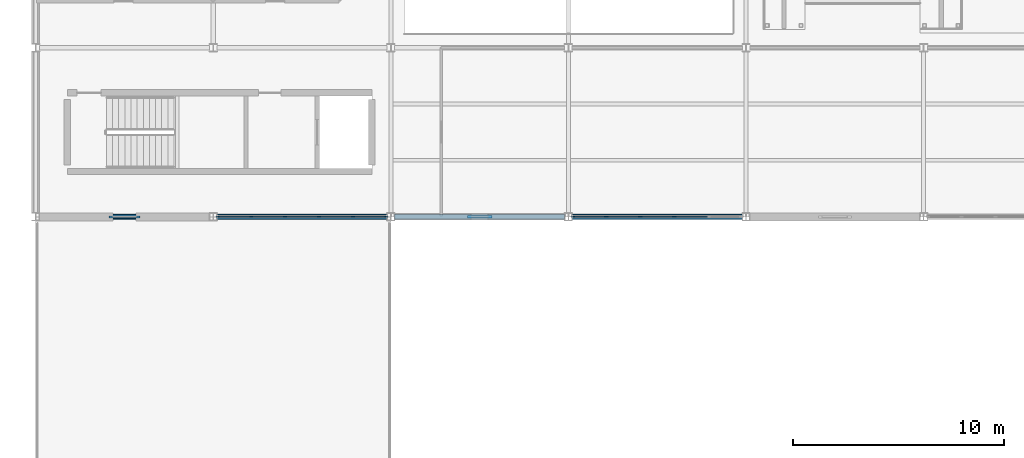
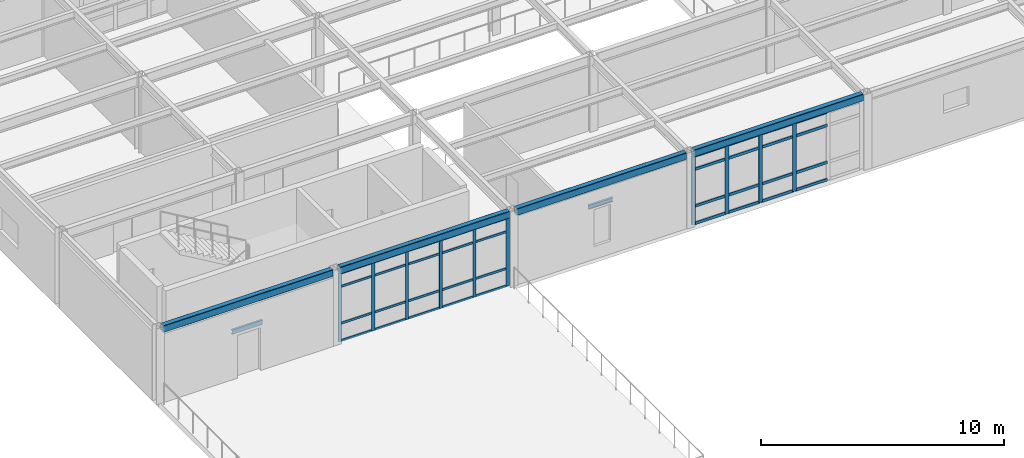
# One storey, part 19 of 138: 46 members, 6 beams, 2 elements without a shape of their own.
"""IFC4 building model written with IfcOpenShell, lengths in metres."""

from ifc_helpers import new_model, si_unit, direction, frame, origin, origin_2d, place, context, subcontext, project, spatial, rectangle, hollow_rectangle, i_section, u_section, extrude, material, layer, layer_set, material_profile, profile_set, type_object, element, aggregate, save


model = new_model("IFC4")

# Units and contexts
model_context = context("Model", 3, precision=1e-05, world=origin(), true_north=direction((0.0, 1.0)))
body_context = subcontext(model_context, "Body", "Model", "MODEL_VIEW")
ifc_project = project(units=[si_unit("LENGTHUNIT", "METRE"), si_unit("AREAUNIT", "SQUARE_METRE"), si_unit("VOLUMEUNIT", "CUBIC_METRE"), si_unit("PLANEANGLEUNIT", "RADIAN"), si_unit("MASSUNIT", "GRAM", prefix="KILO")], contexts=[model_context])

# Site, building, storey
site_placement = place(None, origin())
site = spatial("IfcSite", under=ifc_project, at=site_placement, CompositionType="ELEMENT")
building_placement = place(site_placement, origin())
building = spatial("IfcBuilding", under=site, at=building_placement, Name="Kranzveld Transit Interchange", CompositionType="ELEMENT")
storey_placement = place(building_placement, frame((0.0, 0.0, 5.43994140625)))
storey = spatial("IfcBuildingStorey", under=building, at=storey_placement, Name="L01", CompositionType="ELEMENT", Elevation=5.43994140625)

# Curtain wall, members
ifc_material_1 = material(Name="Bronze-anodised thermally broken aluminium", Category="aluminium")
ifc_layer_1 = layer(ifc_material_1, 0.14990234375)
ifc_layer_set_1 = layer_set([ifc_layer_1], Name="Bronze-anodised thermally broken aluminium")
curtain_wall_type_1 = type_object("IfcCurtainWallType", Name="Public Passage Clerestory Screen CW-4", PredefinedType="USERDEFINED", material=ifc_layer_set_1)
curtain_wall_1_placement = place(storey_placement, origin())
curtain_wall_1 = element("IfcCurtainWall", 1, at=curtain_wall_1_placement, inside=storey, type_object=curtain_wall_type_1, Name="L01 Curtain Wall 02/C-03/C", ObjectType="CURTAIN WALL", PredefinedType="USERDEFINED")
ifc_material_2 = material(Name="Bronze-anodised thermally broken aluminium", Category="aluminium")
ifc_material_profile_1 = material_profile(ifc_material_2, rectangle(XDim=0.06005859375, YDim=0.14990234375, at=origin_2d()), Name="ALU MULLION 60x150")
ifc_profile_set_1 = profile_set([ifc_material_profile_1], Name="Bronze-anodised thermally broken aluminium")
member_type_1 = type_object("IfcMemberType", Name="Curtain Wall Mullion 60x150 Alu", PredefinedType="MULLION", material=ifc_profile_set_1)
member_1_placement = place(storey_placement, frame((8.6171875, 16.0, 0.0), z_axis=(0.0, 0.0, 1.0), x_axis=(0.0, 1.0, 0.0)))
member_1 = element("IfcMember", 2, at=member_1_placement, type_object=member_type_1, Name="CW-4 mullion 1", PredefinedType="MULLION", context=body_context, shape_type="SweptSolid", body=[
    extrude(rectangle(XDim=0.06005859375, YDim=0.14990234375, at=origin_2d()), origin(), (0.0, 0.0, 1.0), 3.449951171875),
])
member_2_placement = place(storey_placement, frame((10.1923828125, 16.0, 0.0), z_axis=(0.0, 0.0, 1.0), x_axis=(0.0, 1.0, 0.0)))
member_2 = element("IfcMember", 3, at=member_2_placement, type_object=member_type_1, Name="CW-4 mullion 2", PredefinedType="MULLION", context=body_context, shape_type="SweptSolid", body=[
    extrude(rectangle(XDim=0.06005859375, YDim=0.14990234375, at=origin_2d()), origin(), (0.0, 0.0, 1.0), 3.449951171875),
])
member_3_placement = place(storey_placement, frame((11.79736328125, 16.0, 0.0), z_axis=(0.0, 0.0, 1.0), x_axis=(0.0, 1.0, 0.0)))
member_3 = element("IfcMember", 4, at=member_3_placement, type_object=member_type_1, Name="CW-4 mullion 3", PredefinedType="MULLION", context=body_context, shape_type="SweptSolid", body=[
    extrude(rectangle(XDim=0.06005859375, YDim=0.14990234375, at=origin_2d()), origin(), (0.0, 0.0, 1.0), 3.449951171875),
])
member_4_placement = place(storey_placement, frame((13.402587890625, 16.0, 0.0), z_axis=(0.0, 0.0, 1.0), x_axis=(0.0, 1.0, 0.0)))
member_4 = element("IfcMember", 5, at=member_4_placement, type_object=member_type_1, Name="CW-4 mullion 4", PredefinedType="MULLION", context=body_context, shape_type="SweptSolid", body=[
    extrude(rectangle(XDim=0.06005859375, YDim=0.14990234375, at=origin_2d()), origin(), (0.0, 0.0, 1.0), 3.449951171875),
])
member_5_placement = place(storey_placement, frame((15.007568359375, 16.0, 0.0), z_axis=(0.0, 0.0, 1.0), x_axis=(0.0, 1.0, 0.0)))
member_5 = element("IfcMember", 6, at=member_5_placement, type_object=member_type_1, Name="CW-4 mullion 5", PredefinedType="MULLION", context=body_context, shape_type="SweptSolid", body=[
    extrude(rectangle(XDim=0.06005859375, YDim=0.14990234375, at=origin_2d()), origin(), (0.0, 0.0, 1.0), 3.449951171875),
])
member_6_placement = place(storey_placement, frame((16.582763671875, 16.0, 0.0), z_axis=(0.0, 0.0, 1.0), x_axis=(0.0, 1.0, 0.0)))
member_6 = element("IfcMember", 7, at=member_6_placement, type_object=member_type_1, Name="CW-4 mullion 6", PredefinedType="MULLION", context=body_context, shape_type="SweptSolid", body=[
    extrude(rectangle(XDim=0.06005859375, YDim=0.14990234375, at=origin_2d()), origin(), (0.0, 0.0, 1.0), 3.449951171875),
])

ifc_material_3 = material(Name="Bronze-anodised thermally broken aluminium", Category="aluminium")
ifc_layer_2 = layer(ifc_material_3, 0.18505859375)
ifc_layer_set_2 = layer_set([ifc_layer_2], Name="Bronze-anodised thermally broken aluminium")
curtain_wall_type_2 = type_object("IfcCurtainWallType", Name="Control Crown Observation Facade CW-5", PredefinedType="USERDEFINED", material=ifc_layer_set_2)
curtain_wall_2_placement = place(storey_placement, origin())
curtain_wall_2 = element("IfcCurtainWall", 8, at=curtain_wall_2_placement, inside=storey, type_object=curtain_wall_type_2, Name="L01 Curtain Wall 04/C-05/C", ObjectType="CURTAIN WALL", PredefinedType="USERDEFINED")
ifc_material_4 = material(Name="Bronze-anodised thermally broken aluminium", Category="aluminium")
ifc_material_profile_2 = material_profile(ifc_material_4, rectangle(XDim=0.06494140625, YDim=0.179931640625, at=origin_2d()), Name="ALU MULLION 65x180")
ifc_profile_set_2 = profile_set([ifc_material_profile_2], Name="Bronze-anodised thermally broken aluminium")
member_type_2 = type_object("IfcMemberType", Name="Curtain Wall Mullion 65x180 Alu", PredefinedType="MULLION", material=ifc_profile_set_2)
member_7_placement = place(storey_placement, frame((25.419921875, 16.0, 0.0), z_axis=(0.0, 0.0, 1.0), x_axis=(0.0, 1.0, 0.0)))
member_7 = element("IfcMember", 9, at=member_7_placement, type_object=member_type_2, Name="CW-5 mullion 1", PredefinedType="MULLION", context=body_context, shape_type="SweptSolid", body=[
    extrude(rectangle(XDim=0.06494140625, YDim=0.179931640625, at=origin_2d()), origin(), (0.0, 0.0, 1.0), 3.449951171875),
])
member_8_placement = place(storey_placement, frame((26.992431640625, 16.0, 0.0), z_axis=(0.0, 0.0, 1.0), x_axis=(0.0, 1.0, 0.0)))
member_8 = element("IfcMember", 10, at=member_8_placement, type_object=member_type_2, Name="CW-5 mullion 2", PredefinedType="MULLION", context=body_context, shape_type="SweptSolid", body=[
    extrude(rectangle(XDim=0.06494140625, YDim=0.179931640625, at=origin_2d()), origin(), (0.0, 0.0, 1.0), 3.449951171875),
])
member_9_placement = place(storey_placement, frame((28.597412109375, 16.0, 0.0), z_axis=(0.0, 0.0, 1.0), x_axis=(0.0, 1.0, 0.0)))
member_9 = element("IfcMember", 11, at=member_9_placement, type_object=member_type_2, Name="CW-5 mullion 3", PredefinedType="MULLION", context=body_context, shape_type="SweptSolid", body=[
    extrude(rectangle(XDim=0.06494140625, YDim=0.179931640625, at=origin_2d()), origin(), (0.0, 0.0, 1.0), 3.449951171875),
])
member_10_placement = place(storey_placement, frame((30.20263671875, 16.0, 0.0), z_axis=(0.0, 0.0, 1.0), x_axis=(0.0, 1.0, 0.0)))
member_10 = element("IfcMember", 12, at=member_10_placement, type_object=member_type_2, Name="CW-5 mullion 4", PredefinedType="MULLION", context=body_context, shape_type="SweptSolid", body=[
    extrude(rectangle(XDim=0.06494140625, YDim=0.179931640625, at=origin_2d()), origin(), (0.0, 0.0, 1.0), 3.449951171875),
])

# Member
ifc_material_5 = material(Name="Bronze-anodised thermally broken aluminium", Category="aluminium")
ifc_material_profile_3 = material_profile(ifc_material_5, rectangle(XDim=0.06005859375, YDim=0.110107421875, at=origin_2d()), Name="ALU TRANSOM 60x110")
ifc_profile_set_3 = profile_set([ifc_material_profile_3], Name="Bronze-anodised thermally broken aluminium")
member_type_3 = type_object("IfcMemberType", Name="Curtain Wall Transom 60x110 Alu", PredefinedType="USERDEFINED", material=ifc_profile_set_3)
member_11_placement = place(storey_placement, frame((8.647216796875, 16.0, 0.030029296875), z_axis=(1.0, 0.0, 0.0), x_axis=(0.0, 1.0, 0.0)))
member_11 = element("IfcMember", 13, at=member_11_placement, type_object=member_type_3, Name="CW-4 transom 1.1", ObjectType="TRANSOM", PredefinedType="USERDEFINED", context=body_context, shape_type="SweptSolid", body=[
    extrude(rectangle(XDim=0.06005859375, YDim=0.110107421875, at=origin_2d()), origin(), (0.0, 0.0, 1.0), 1.51513671875),
])

member_12_placement = place(storey_placement, frame((8.647216796875, 16.0, 0.900146484375), z_axis=(1.0, 0.0, 0.0), x_axis=(0.0, 1.0, 0.0)))
member_12 = element("IfcMember", 14, at=member_12_placement, type_object=member_type_3, Name="CW-4 transom 1.2", ObjectType="TRANSOM", PredefinedType="USERDEFINED", context=body_context, shape_type="SweptSolid", body=[
    extrude(rectangle(XDim=0.06005859375, YDim=0.110107421875, at=origin_2d()), origin(), (0.0, 0.0, 1.0), 1.51513671875),
])

member_13_placement = place(storey_placement, frame((8.647216796875, 16.0, 2.75), z_axis=(1.0, 0.0, 0.0), x_axis=(0.0, 1.0, 0.0)))
member_13 = element("IfcMember", 15, at=member_13_placement, type_object=member_type_3, Name="CW-4 transom 1.3", ObjectType="TRANSOM", PredefinedType="USERDEFINED", context=body_context, shape_type="SweptSolid", body=[
    extrude(rectangle(XDim=0.06005859375, YDim=0.110107421875, at=origin_2d()), origin(), (0.0, 0.0, 1.0), 1.51513671875),
])

member_14_placement = place(storey_placement, frame((8.647216796875, 16.0, 3.420166015625), z_axis=(1.0, 0.0, 0.0), x_axis=(0.0, 1.0, 0.0)))
member_14 = element("IfcMember", 16, at=member_14_placement, type_object=member_type_3, Name="CW-4 transom 1.4", ObjectType="TRANSOM", PredefinedType="USERDEFINED", context=body_context, shape_type="SweptSolid", body=[
    extrude(rectangle(XDim=0.06005859375, YDim=0.110107421875, at=origin_2d()), origin(), (0.0, 0.0, 1.0), 1.51513671875),
])

member_15_placement = place(storey_placement, frame((10.222412109375, 16.0, 0.030029296875), z_axis=(1.0, 0.0, 0.0), x_axis=(0.0, 1.0, 0.0)))
member_15 = element("IfcMember", 17, at=member_15_placement, type_object=member_type_3, Name="CW-4 transom 2.1", ObjectType="TRANSOM", PredefinedType="USERDEFINED", context=body_context, shape_type="SweptSolid", body=[
    extrude(rectangle(XDim=0.06005859375, YDim=0.110107421875, at=origin_2d()), origin(), (0.0, 0.0, 1.0), 1.545166015625),
])

member_16_placement = place(storey_placement, frame((10.222412109375, 16.0, 0.900146484375), z_axis=(1.0, 0.0, 0.0), x_axis=(0.0, 1.0, 0.0)))
member_16 = element("IfcMember", 18, at=member_16_placement, type_object=member_type_3, Name="CW-4 transom 2.2", ObjectType="TRANSOM", PredefinedType="USERDEFINED", context=body_context, shape_type="SweptSolid", body=[
    extrude(rectangle(XDim=0.06005859375, YDim=0.110107421875, at=origin_2d()), origin(), (0.0, 0.0, 1.0), 1.545166015625),
])

member_17_placement = place(storey_placement, frame((10.222412109375, 16.0, 2.75), z_axis=(1.0, 0.0, 0.0), x_axis=(0.0, 1.0, 0.0)))
member_17 = element("IfcMember", 19, at=member_17_placement, type_object=member_type_3, Name="CW-4 transom 2.3", ObjectType="TRANSOM", PredefinedType="USERDEFINED", context=body_context, shape_type="SweptSolid", body=[
    extrude(rectangle(XDim=0.06005859375, YDim=0.110107421875, at=origin_2d()), origin(), (0.0, 0.0, 1.0), 1.545166015625),
])

member_18_placement = place(storey_placement, frame((10.222412109375, 16.0, 3.420166015625), z_axis=(1.0, 0.0, 0.0), x_axis=(0.0, 1.0, 0.0)))
member_18 = element("IfcMember", 20, at=member_18_placement, type_object=member_type_3, Name="CW-4 transom 2.4", ObjectType="TRANSOM", PredefinedType="USERDEFINED", context=body_context, shape_type="SweptSolid", body=[
    extrude(rectangle(XDim=0.06005859375, YDim=0.110107421875, at=origin_2d()), origin(), (0.0, 0.0, 1.0), 1.545166015625),
])

member_19_placement = place(storey_placement, frame((11.827392578125, 16.0, 0.030029296875), z_axis=(1.0, 0.0, 0.0), x_axis=(0.0, 1.0, 0.0)))
member_19 = element("IfcMember", 21, at=member_19_placement, type_object=member_type_3, Name="CW-4 transom 3.1", ObjectType="TRANSOM", PredefinedType="USERDEFINED", context=body_context, shape_type="SweptSolid", body=[
    extrude(rectangle(XDim=0.06005859375, YDim=0.110107421875, at=origin_2d()), origin(), (0.0, 0.0, 1.0), 1.545166015625),
])

member_20_placement = place(storey_placement, frame((11.827392578125, 16.0, 0.900146484375), z_axis=(1.0, 0.0, 0.0), x_axis=(0.0, 1.0, 0.0)))
member_20 = element("IfcMember", 22, at=member_20_placement, type_object=member_type_3, Name="CW-4 transom 3.2", ObjectType="TRANSOM", PredefinedType="USERDEFINED", context=body_context, shape_type="SweptSolid", body=[
    extrude(rectangle(XDim=0.06005859375, YDim=0.110107421875, at=origin_2d()), origin(), (0.0, 0.0, 1.0), 1.545166015625),
])

member_21_placement = place(storey_placement, frame((11.827392578125, 16.0, 2.75), z_axis=(1.0, 0.0, 0.0), x_axis=(0.0, 1.0, 0.0)))
member_21 = element("IfcMember", 23, at=member_21_placement, type_object=member_type_3, Name="CW-4 transom 3.3", ObjectType="TRANSOM", PredefinedType="USERDEFINED", context=body_context, shape_type="SweptSolid", body=[
    extrude(rectangle(XDim=0.06005859375, YDim=0.110107421875, at=origin_2d()), origin(), (0.0, 0.0, 1.0), 1.545166015625),
])

member_22_placement = place(storey_placement, frame((11.827392578125, 16.0, 3.420166015625), z_axis=(1.0, 0.0, 0.0), x_axis=(0.0, 1.0, 0.0)))
member_22 = element("IfcMember", 24, at=member_22_placement, type_object=member_type_3, Name="CW-4 transom 3.4", ObjectType="TRANSOM", PredefinedType="USERDEFINED", context=body_context, shape_type="SweptSolid", body=[
    extrude(rectangle(XDim=0.06005859375, YDim=0.110107421875, at=origin_2d()), origin(), (0.0, 0.0, 1.0), 1.545166015625),
])

member_23_placement = place(storey_placement, frame((13.4326171875, 16.0, 0.030029296875), z_axis=(1.0, 0.0, 0.0), x_axis=(0.0, 1.0, 0.0)))
member_23 = element("IfcMember", 25, at=member_23_placement, type_object=member_type_3, Name="CW-4 transom 4.1", ObjectType="TRANSOM", PredefinedType="USERDEFINED", context=body_context, shape_type="SweptSolid", body=[
    extrude(rectangle(XDim=0.06005859375, YDim=0.110107421875, at=origin_2d()), origin(), (0.0, 0.0, 1.0), 1.544921875),
])

member_24_placement = place(storey_placement, frame((13.4326171875, 16.0, 0.900146484375), z_axis=(1.0, 0.0, 0.0), x_axis=(0.0, 1.0, 0.0)))
member_24 = element("IfcMember", 26, at=member_24_placement, type_object=member_type_3, Name="CW-4 transom 4.2", ObjectType="TRANSOM", PredefinedType="USERDEFINED", context=body_context, shape_type="SweptSolid", body=[
    extrude(rectangle(XDim=0.06005859375, YDim=0.110107421875, at=origin_2d()), origin(), (0.0, 0.0, 1.0), 1.544921875),
])

member_25_placement = place(storey_placement, frame((13.4326171875, 16.0, 2.75), z_axis=(1.0, 0.0, 0.0), x_axis=(0.0, 1.0, 0.0)))
member_25 = element("IfcMember", 27, at=member_25_placement, type_object=member_type_3, Name="CW-4 transom 4.3", ObjectType="TRANSOM", PredefinedType="USERDEFINED", context=body_context, shape_type="SweptSolid", body=[
    extrude(rectangle(XDim=0.06005859375, YDim=0.110107421875, at=origin_2d()), origin(), (0.0, 0.0, 1.0), 1.544921875),
])

member_26_placement = place(storey_placement, frame((13.4326171875, 16.0, 3.420166015625), z_axis=(1.0, 0.0, 0.0), x_axis=(0.0, 1.0, 0.0)))
member_26 = element("IfcMember", 28, at=member_26_placement, type_object=member_type_3, Name="CW-4 transom 4.4", ObjectType="TRANSOM", PredefinedType="USERDEFINED", context=body_context, shape_type="SweptSolid", body=[
    extrude(rectangle(XDim=0.06005859375, YDim=0.110107421875, at=origin_2d()), origin(), (0.0, 0.0, 1.0), 1.544921875),
])

member_27_placement = place(storey_placement, frame((15.03759765625, 16.0, 0.030029296875), z_axis=(1.0, 0.0, 0.0), x_axis=(0.0, 1.0, 0.0)))
member_27 = element("IfcMember", 29, at=member_27_placement, type_object=member_type_3, Name="CW-4 transom 5.1", ObjectType="TRANSOM", PredefinedType="USERDEFINED", context=body_context, shape_type="SweptSolid", body=[
    extrude(rectangle(XDim=0.06005859375, YDim=0.110107421875, at=origin_2d()), origin(), (0.0, 0.0, 1.0), 1.51513671875),
])

member_28_placement = place(storey_placement, frame((15.03759765625, 16.0, 0.900146484375), z_axis=(1.0, 0.0, 0.0), x_axis=(0.0, 1.0, 0.0)))
member_28 = element("IfcMember", 30, at=member_28_placement, type_object=member_type_3, Name="CW-4 transom 5.2", ObjectType="TRANSOM", PredefinedType="USERDEFINED", context=body_context, shape_type="SweptSolid", body=[
    extrude(rectangle(XDim=0.06005859375, YDim=0.110107421875, at=origin_2d()), origin(), (0.0, 0.0, 1.0), 1.51513671875),
])

member_29_placement = place(storey_placement, frame((15.03759765625, 16.0, 2.75), z_axis=(1.0, 0.0, 0.0), x_axis=(0.0, 1.0, 0.0)))
member_29 = element("IfcMember", 31, at=member_29_placement, type_object=member_type_3, Name="CW-4 transom 5.3", ObjectType="TRANSOM", PredefinedType="USERDEFINED", context=body_context, shape_type="SweptSolid", body=[
    extrude(rectangle(XDim=0.06005859375, YDim=0.110107421875, at=origin_2d()), origin(), (0.0, 0.0, 1.0), 1.51513671875),
])

member_30_placement = place(storey_placement, frame((15.03759765625, 16.0, 3.420166015625), z_axis=(1.0, 0.0, 0.0), x_axis=(0.0, 1.0, 0.0)))
member_30 = element("IfcMember", 32, at=member_30_placement, type_object=member_type_3, Name="CW-4 transom 5.4", ObjectType="TRANSOM", PredefinedType="USERDEFINED", context=body_context, shape_type="SweptSolid", body=[
    extrude(rectangle(XDim=0.06005859375, YDim=0.110107421875, at=origin_2d()), origin(), (0.0, 0.0, 1.0), 1.51513671875),
])

aggregate(curtain_wall_1, [member_1, member_2, member_3, member_4, member_5, member_6, member_11, member_12, member_13, member_14, member_15, member_16, member_17, member_18, member_19, member_20, member_21, member_22, member_23, member_24, member_25, member_26, member_27, member_28, member_29, member_30])

ifc_material_6 = material(Name="Bronze-anodised thermally broken aluminium", Category="aluminium")
ifc_material_profile_4 = material_profile(ifc_material_6, rectangle(XDim=0.06494140625, YDim=0.139892578125, at=origin_2d()), Name="ALU TRANSOM 65x140")
ifc_profile_set_4 = profile_set([ifc_material_profile_4], Name="Bronze-anodised thermally broken aluminium")
member_type_4 = type_object("IfcMemberType", Name="Curtain Wall Transom 65x140 Alu", PredefinedType="USERDEFINED", material=ifc_profile_set_4)
member_31_placement = place(storey_placement, frame((25.452392578125, 16.0, 0.032470703125), z_axis=(1.0, 0.0, 0.0), x_axis=(0.0, 1.0, 0.0)))
member_31 = element("IfcMember", 33, at=member_31_placement, type_object=member_type_4, Name="CW-5 transom 1.1", ObjectType="TRANSOM", PredefinedType="USERDEFINED", context=body_context, shape_type="SweptSolid", body=[
    extrude(rectangle(XDim=0.06494140625, YDim=0.139892578125, at=origin_2d()), origin(), (0.0, 0.0, 1.0), 1.507568359375),
])

member_32_placement = place(storey_placement, frame((25.452392578125, 16.0, 0.900146484375), z_axis=(1.0, 0.0, 0.0), x_axis=(0.0, 1.0, 0.0)))
member_32 = element("IfcMember", 34, at=member_32_placement, type_object=member_type_4, Name="CW-5 transom 1.2", ObjectType="TRANSOM", PredefinedType="USERDEFINED", context=body_context, shape_type="SweptSolid", body=[
    extrude(rectangle(XDim=0.06494140625, YDim=0.139892578125, at=origin_2d()), origin(), (0.0, 0.0, 1.0), 1.507568359375),
])

member_33_placement = place(storey_placement, frame((25.452392578125, 16.0, 2.75), z_axis=(1.0, 0.0, 0.0), x_axis=(0.0, 1.0, 0.0)))
member_33 = element("IfcMember", 35, at=member_33_placement, type_object=member_type_4, Name="CW-5 transom 1.3", ObjectType="TRANSOM", PredefinedType="USERDEFINED", context=body_context, shape_type="SweptSolid", body=[
    extrude(rectangle(XDim=0.06494140625, YDim=0.139892578125, at=origin_2d()), origin(), (0.0, 0.0, 1.0), 1.507568359375),
])

member_34_placement = place(storey_placement, frame((25.452392578125, 16.0, 3.41748046875), z_axis=(1.0, 0.0, 0.0), x_axis=(0.0, 1.0, 0.0)))
member_34 = element("IfcMember", 36, at=member_34_placement, type_object=member_type_4, Name="CW-5 transom 1.4", ObjectType="TRANSOM", PredefinedType="USERDEFINED", context=body_context, shape_type="SweptSolid", body=[
    extrude(rectangle(XDim=0.06494140625, YDim=0.139892578125, at=origin_2d()), origin(), (0.0, 0.0, 1.0), 1.507568359375),
])

member_35_placement = place(storey_placement, frame((27.02490234375, 16.0, 0.032470703125), z_axis=(1.0, 0.0, 0.0), x_axis=(0.0, 1.0, 0.0)))
member_35 = element("IfcMember", 37, at=member_35_placement, type_object=member_type_4, Name="CW-5 transom 2.1", ObjectType="TRANSOM", PredefinedType="USERDEFINED", context=body_context, shape_type="SweptSolid", body=[
    extrude(rectangle(XDim=0.06494140625, YDim=0.139892578125, at=origin_2d()), origin(), (0.0, 0.0, 1.0), 1.5400390625),
])

member_36_placement = place(storey_placement, frame((27.02490234375, 16.0, 0.900146484375), z_axis=(1.0, 0.0, 0.0), x_axis=(0.0, 1.0, 0.0)))
member_36 = element("IfcMember", 38, at=member_36_placement, type_object=member_type_4, Name="CW-5 transom 2.2", ObjectType="TRANSOM", PredefinedType="USERDEFINED", context=body_context, shape_type="SweptSolid", body=[
    extrude(rectangle(XDim=0.06494140625, YDim=0.139892578125, at=origin_2d()), origin(), (0.0, 0.0, 1.0), 1.5400390625),
])

member_37_placement = place(storey_placement, frame((27.02490234375, 16.0, 2.75), z_axis=(1.0, 0.0, 0.0), x_axis=(0.0, 1.0, 0.0)))
member_37 = element("IfcMember", 39, at=member_37_placement, type_object=member_type_4, Name="CW-5 transom 2.3", ObjectType="TRANSOM", PredefinedType="USERDEFINED", context=body_context, shape_type="SweptSolid", body=[
    extrude(rectangle(XDim=0.06494140625, YDim=0.139892578125, at=origin_2d()), origin(), (0.0, 0.0, 1.0), 1.5400390625),
])

member_38_placement = place(storey_placement, frame((27.02490234375, 16.0, 3.41748046875), z_axis=(1.0, 0.0, 0.0), x_axis=(0.0, 1.0, 0.0)))
member_38 = element("IfcMember", 40, at=member_38_placement, type_object=member_type_4, Name="CW-5 transom 2.4", ObjectType="TRANSOM", PredefinedType="USERDEFINED", context=body_context, shape_type="SweptSolid", body=[
    extrude(rectangle(XDim=0.06494140625, YDim=0.139892578125, at=origin_2d()), origin(), (0.0, 0.0, 1.0), 1.5400390625),
])

member_39_placement = place(storey_placement, frame((28.6298828125, 16.0, 0.032470703125), z_axis=(1.0, 0.0, 0.0), x_axis=(0.0, 1.0, 0.0)))
member_39 = element("IfcMember", 41, at=member_39_placement, type_object=member_type_4, Name="CW-5 transom 3.1", ObjectType="TRANSOM", PredefinedType="USERDEFINED", context=body_context, shape_type="SweptSolid", body=[
    extrude(rectangle(XDim=0.06494140625, YDim=0.139892578125, at=origin_2d()), origin(), (0.0, 0.0, 1.0), 1.5400390625),
])

member_40_placement = place(storey_placement, frame((28.6298828125, 16.0, 0.900146484375), z_axis=(1.0, 0.0, 0.0), x_axis=(0.0, 1.0, 0.0)))
member_40 = element("IfcMember", 42, at=member_40_placement, type_object=member_type_4, Name="CW-5 transom 3.2", ObjectType="TRANSOM", PredefinedType="USERDEFINED", context=body_context, shape_type="SweptSolid", body=[
    extrude(rectangle(XDim=0.06494140625, YDim=0.139892578125, at=origin_2d()), origin(), (0.0, 0.0, 1.0), 1.5400390625),
])

member_41_placement = place(storey_placement, frame((28.6298828125, 16.0, 2.75), z_axis=(1.0, 0.0, 0.0), x_axis=(0.0, 1.0, 0.0)))
member_41 = element("IfcMember", 43, at=member_41_placement, type_object=member_type_4, Name="CW-5 transom 3.3", ObjectType="TRANSOM", PredefinedType="USERDEFINED", context=body_context, shape_type="SweptSolid", body=[
    extrude(rectangle(XDim=0.06494140625, YDim=0.139892578125, at=origin_2d()), origin(), (0.0, 0.0, 1.0), 1.5400390625),
])

member_42_placement = place(storey_placement, frame((28.6298828125, 16.0, 3.41748046875), z_axis=(1.0, 0.0, 0.0), x_axis=(0.0, 1.0, 0.0)))
member_42 = element("IfcMember", 44, at=member_42_placement, type_object=member_type_4, Name="CW-5 transom 3.4", ObjectType="TRANSOM", PredefinedType="USERDEFINED", context=body_context, shape_type="SweptSolid", body=[
    extrude(rectangle(XDim=0.06494140625, YDim=0.139892578125, at=origin_2d()), origin(), (0.0, 0.0, 1.0), 1.5400390625),
])

member_43_placement = place(storey_placement, frame((30.235107421875, 16.0, 0.032470703125), z_axis=(1.0, 0.0, 0.0), x_axis=(0.0, 1.0, 0.0)))
member_43 = element("IfcMember", 45, at=member_43_placement, type_object=member_type_4, Name="CW-5 transom 4.1", ObjectType="TRANSOM", PredefinedType="USERDEFINED", context=body_context, shape_type="SweptSolid", body=[
    extrude(rectangle(XDim=0.06494140625, YDim=0.139892578125, at=origin_2d()), origin(), (0.0, 0.0, 1.0), 1.5400390625),
])

member_44_placement = place(storey_placement, frame((30.235107421875, 16.0, 0.900146484375), z_axis=(1.0, 0.0, 0.0), x_axis=(0.0, 1.0, 0.0)))
member_44 = element("IfcMember", 46, at=member_44_placement, type_object=member_type_4, Name="CW-5 transom 4.2", ObjectType="TRANSOM", PredefinedType="USERDEFINED", context=body_context, shape_type="SweptSolid", body=[
    extrude(rectangle(XDim=0.06494140625, YDim=0.139892578125, at=origin_2d()), origin(), (0.0, 0.0, 1.0), 1.5400390625),
])

member_45_placement = place(storey_placement, frame((30.235107421875, 16.0, 2.75), z_axis=(1.0, 0.0, 0.0), x_axis=(0.0, 1.0, 0.0)))
member_45 = element("IfcMember", 47, at=member_45_placement, type_object=member_type_4, Name="CW-5 transom 4.3", ObjectType="TRANSOM", PredefinedType="USERDEFINED", context=body_context, shape_type="SweptSolid", body=[
    extrude(rectangle(XDim=0.06494140625, YDim=0.139892578125, at=origin_2d()), origin(), (0.0, 0.0, 1.0), 1.5400390625),
])

member_46_placement = place(storey_placement, frame((30.235107421875, 16.0, 3.41748046875), z_axis=(1.0, 0.0, 0.0), x_axis=(0.0, 1.0, 0.0)))
member_46 = element("IfcMember", 48, at=member_46_placement, type_object=member_type_4, Name="CW-5 transom 4.4", ObjectType="TRANSOM", PredefinedType="USERDEFINED", context=body_context, shape_type="SweptSolid", body=[
    extrude(rectangle(XDim=0.06494140625, YDim=0.139892578125, at=origin_2d()), origin(), (0.0, 0.0, 1.0), 1.5400390625),
])

aggregate(curtain_wall_2, [member_7, member_8, member_9, member_10, member_31, member_32, member_33, member_34, member_35, member_36, member_37, member_38, member_39, member_40, member_41, member_42, member_43, member_44, member_45, member_46])

# Beams
ifc_material_7 = material(Name="Steel S355JR", Category="steel")
ifc_material_profile_5 = material_profile(ifc_material_7, hollow_rectangle(XDim=0.25, YDim=0.35009765625, WallThickness=0.012451171875, InnerFilletRadius=0.018798828125, OuterFilletRadius=0.03125, at=origin_2d()), Name="RHS 350x250x12.5")
ifc_profile_set_5 = profile_set([ifc_material_profile_5], Name="Steel S355JR")
beam_type_1 = type_object("IfcBeamType", Name="Edge Spandrel RHS 350x250x12.5 S355JR", PredefinedType="SPANDREL", material=ifc_profile_set_5)
for number, where, z_axis, x_axis, name in (
    (49, (0.17724609375, 16.0, 3.625), (1.0, 0.0, 0.0), (0.0, 1.0, 0.0), "L01 Girder 01-02/C"),
    (50, (8.577392578125, 16.0, 3.625), (1.0, 0.0, 0.0), (0.0, 1.0, 0.0), "L01 Girder 02-03/C"),
    (51, (16.977294921875, 16.0, 3.625), (1.0, 0.0, 0.0), (0.0, 1.0, 0.0), "L01 Girder 03-04/C"),
    (52, (25.377197265625, 16.0, 3.625), (1.0, 0.0, 0.0), (0.0, 1.0, 0.0), "L01 Girder 04-05/C"),
):
    element("IfcBeam", number, at=place(storey_placement, frame(where, z_axis=z_axis, x_axis=x_axis)), inside=storey, type_object=beam_type_1, Name=name, PredefinedType="SPANDREL", context=body_context, shape_type="SweptSolid", body=[
        extrude(hollow_rectangle(XDim=0.25, YDim=0.35009765625, WallThickness=0.012451171875, InnerFilletRadius=0.018798828125, OuterFilletRadius=0.03125, at=origin_2d()), origin(), (0.0, 0.0, 1.0), 8.04541015625),
    ])
ifc_material_8 = material(Name="Steel S355JR", Category="steel")
ifc_material_profile_6 = material_profile(ifc_material_8, u_section(Depth=0.22998046875, FlangeWidth=0.090087890625, WebThickness=0.007568359375, FlangeThickness=0.013916015625, FilletRadius=0.011962890625, at=origin_2d()), Name="PFC 230x90x32")
ifc_profile_set_6 = profile_set([ifc_material_profile_6], Name="Steel S355JR")
beam_type_2 = type_object("IfcBeamType", Name="Masonry Lintel PFC 230x90x32 S355JR", PredefinedType="LINTEL", material=ifc_profile_set_6)
beam_1_placement = place(storey_placement, frame((3.469970703125, 16.0, 2.27001953125), z_axis=(1.0, 0.0, 0.0), x_axis=(0.0, 1.0, 0.0)))
element("IfcBeam", 53, at=beam_1_placement, inside=storey, type_object=beam_type_2, Name="L01 Exterior Door Lintel 015", PredefinedType="LINTEL", context=body_context, shape_type="SweptSolid", body=[
    extrude(u_section(Depth=0.22998046875, FlangeWidth=0.090087890625, WebThickness=0.007568359375, FlangeThickness=0.013916015625, FilletRadius=0.011962890625, at=origin_2d()), origin(), (0.0, 0.0, 1.0), 1.4599609375),
])
ifc_material_9 = material(Name="Steel S355JR", Category="steel")
ifc_material_profile_7 = material_profile(ifc_material_9, i_section(OverallWidth=0.10009765625, OverallDepth=0.199951171875, WebThickness=0.005615234375, FlangeThickness=0.008544921875, FilletRadius=0.011962890625, at=origin_2d()), Name="IPE 200")
ifc_profile_set_7 = profile_set([ifc_material_profile_7], Name="Steel S355JR")
beam_type_3 = type_object("IfcBeamType", Name="Opening Lintel IPE 200 S355JR", PredefinedType="LINTEL", material=ifc_profile_set_7)
beam_2_placement = place(storey_placement, frame((20.419921875, 16.0, 2.60498046875), z_axis=(1.0, 0.0, 0.0), x_axis=(0.0, 1.0, 0.0)))
element("IfcBeam", 54, at=beam_2_placement, inside=storey, type_object=beam_type_3, Name="L01 Window Lintel 058", PredefinedType="LINTEL", context=body_context, shape_type="SweptSolid", body=[
    extrude(i_section(OverallWidth=0.10009765625, OverallDepth=0.199951171875, WebThickness=0.005615234375, FlangeThickness=0.008544921875, FilletRadius=0.011962890625, at=origin_2d()), origin(), (0.0, 0.0, 1.0), 1.16015625),
])

save(model, "model.ifc")
